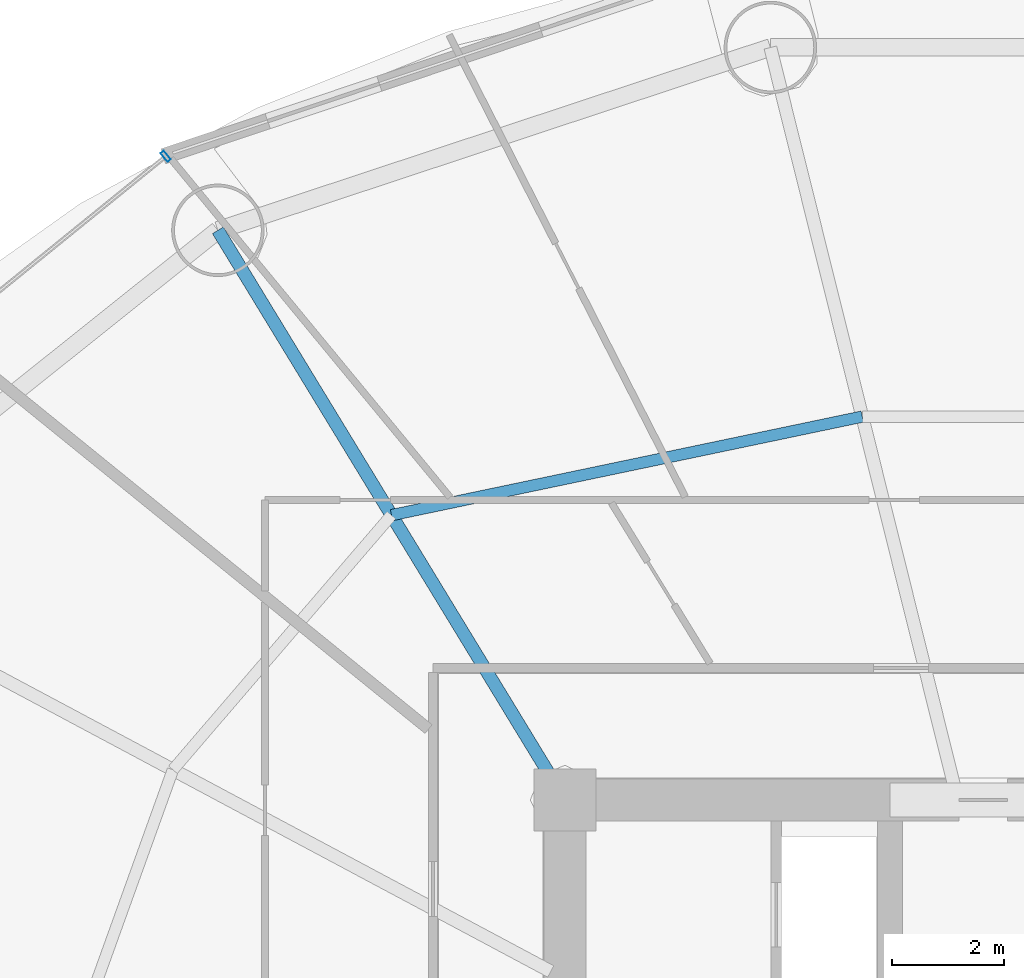
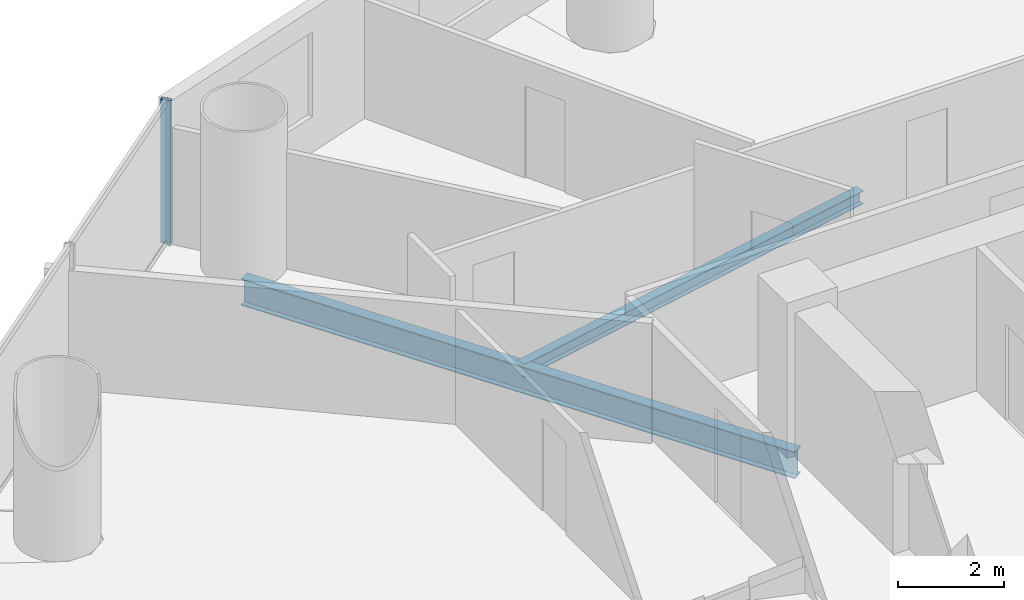
# One storey, part 16 of 29: 2 beams, 1 member, 1 element without a shape of its own.
"""IFC4 building model written with IfcOpenShell, lengths in metres."""

import ifcopenshell
import ifcopenshell.guid

model = None  # the IFC model being written
_history = None  # IfcOwnerHistory: only IFC2X3 demands one
_inside = {}  # id of a spatial element -> (the spatial element, [elements in it])
_under = {}  # id of a project, library or spatial element -> (it, [spatial elements below it])
_declared = {}  # id of a project -> (the project, [libraries it declares])
_typed = {}  # id of a type object -> (the type object, [elements of that type])
_made_of = {}  # id of a material, layer set ... -> (it, [elements and type objects made of it])


def new_model(schema):
    """Start an empty IFC model of exactly this schema.

    Asked for "IFC4X3", IfcOpenShell would pick the latest addendum, in which some entities
    have other attributes; the version numbers below select the first issue.
    IFC2X3 requires an IfcOwnerHistory on every rooted entity: one is made here for all.
    """
    global model, _history
    if schema == "IFC4X3":
        model = ifcopenshell.file(schema_version=(4, 3, 0, 0))
    else:
        model = ifcopenshell.file(schema=schema)
    _inside.clear()
    _under.clear()
    _declared.clear()
    _typed.clear()
    _made_of.clear()
    _history = None
    if model.schema == "IFC2X3":
        org = make("IfcOrganization", Name="unknown")
        user = make(
            "IfcPersonAndOrganization",
            ThePerson=make("IfcPerson", FamilyName="unknown"),
            TheOrganization=org,
        )
        app = make(
            "IfcApplication",
            ApplicationDeveloper=org,
            Version="unknown",
            ApplicationFullName="unknown",
            ApplicationIdentifier="unknown",
        )
        _history = make(
            "IfcOwnerHistory",
            OwningUser=user,
            OwningApplication=app,
            ChangeAction="ADDED",
            CreationDate=0,
        )
    return model


def make(cls, **values):
    """One entity of the class cls with the attributes given. An attribute that is None is left unset."""
    return model.create_entity(
        cls, **{name: value for name, value in values.items() if value is not None}
    )


def rooted(cls, **values):
    """An entity with a GlobalId (a new one), such as an element, a storey or a relation."""
    return make(cls, GlobalId=ifcopenshell.guid.new(), OwnerHistory=_history, **values)


def si_unit(unit_type, name, prefix=None):
    """IfcSIUnit, for example si_unit("LENGTHUNIT", "METRE", prefix="MILLI")."""
    return make("IfcSIUnit", UnitType=unit_type, Prefix=prefix, Name=name)


def assignment(units):
    """IfcUnitAssignment: the units of a project."""
    return None if units is None else make("IfcUnitAssignment", Units=units)


def point(xyz):
    """IfcCartesianPoint."""
    return None if xyz is None else make("IfcCartesianPoint", Coordinates=xyz)


def direction(xyz):
    """IfcDirection."""
    return None if xyz is None else make("IfcDirection", DirectionRatios=xyz)


def frame(location, z_axis=None, x_axis=None):
    """IfcAxis2Placement3D, a coordinate frame: its origin and axes. An axis left out is left unset."""
    return make(
        "IfcAxis2Placement3D",
        Location=point(location),
        Axis=direction(z_axis),
        RefDirection=direction(x_axis),
    )


def frame_2d(location, x_axis=None):
    """IfcAxis2Placement2D, a coordinate frame in the plane: its origin and x axis."""
    return make(
        "IfcAxis2Placement2D", Location=point(location), RefDirection=direction(x_axis)
    )


def origin():
    """The frame at (0, 0, 0) with its axes left unset."""
    return frame((0.0, 0.0, 0.0))


def origin_2d():
    """The frame at (0, 0) in the plane with its x axis left unset."""
    return frame_2d((0.0, 0.0))


def place(relative_to, where):
    """IfcLocalPlacement: puts the frame where relative to a parent placement (None: the world)."""
    return make(
        "IfcLocalPlacement", PlacementRelTo=relative_to, RelativePlacement=where
    )


def context(
    kind, dimensions, precision=None, world=None, true_north=None, identifier=None
):
    """IfcGeometricRepresentationContext, for example the 3D "Model" context."""
    return make(
        "IfcGeometricRepresentationContext",
        ContextIdentifier=identifier,
        ContextType=kind,
        CoordinateSpaceDimension=dimensions,
        Precision=precision,
        WorldCoordinateSystem=world,
        TrueNorth=true_north,
    )


def subcontext(parent, identifier, kind, view, scale=None):
    """IfcGeometricRepresentationSubContext, for example "Body" below "Model"."""
    return make(
        "IfcGeometricRepresentationSubContext",
        ContextIdentifier=identifier,
        ContextType=kind,
        ParentContext=parent,
        TargetScale=scale,
        TargetView=view,
    )


def project(units=None, contexts=None):
    """IfcProject with its units and contexts."""
    return rooted(
        "IfcProject",
        Name="project",
        RepresentationContexts=contexts,
        UnitsInContext=assignment(units),
    )


def spatial(cls, under=None, at=None, **own):
    """A site, building, storey or space (cls), placed at a placement, below another one or the project."""
    s = rooted(cls, ObjectPlacement=at, **own)
    if under is not None:
        _under.setdefault(under.id(), (under, []))[1].append(s)
    return s


def profile(cls, at=None, kind="AREA", **sizes):
    """A parametric profile (cls). Its sizes go by their IFC names, for example OverallWidth=200.0."""
    return make(cls, ProfileType=kind, Position=at, **sizes)


def hollow_rectangle(**sizes):
    """IfcRectangleHollowProfileDef."""
    return profile("IfcRectangleHollowProfileDef", **sizes)


def i_section(**sizes):
    """IfcIShapeProfileDef."""
    return profile("IfcIShapeProfileDef", **sizes)


def extrude(swept, where, along, depth):
    """IfcExtrudedAreaSolid: the profile swept, set in the frame where, extruded along a direction by depth."""
    return make(
        "IfcExtrudedAreaSolid",
        SweptArea=swept,
        Position=where,
        ExtrudedDirection=direction(along),
        Depth=depth,
    )


def shape(context_of_items, identifier, shape_type, items):
    """IfcShapeRepresentation: the items that make up one representation, for example the "Body"."""
    return make(
        "IfcShapeRepresentation",
        ContextOfItems=context_of_items,
        RepresentationIdentifier=identifier,
        RepresentationType=shape_type,
        Items=items,
    )


def source(mapping_origin, context_of_items, identifier, shape_type, items):
    """IfcRepresentationMap: a shape defined once, which mapped items show again and again."""
    return make(
        "IfcRepresentationMap",
        MappingOrigin=mapping_origin,
        MappedRepresentation=shape(context_of_items, identifier, shape_type, items),
    )


def transform(
    local_origin,
    x_axis=None,
    y_axis=None,
    z_axis=None,
    scale=None,
    scale2=None,
    scale3=None,
    uniform=True,
):
    """IfcCartesianTransformationOperator3D, or its non-uniform kind. x_axis, y_axis, z_axis: its Axis1, 2, 3."""
    if uniform:
        return make(
            "IfcCartesianTransformationOperator3D",
            Axis1=direction(x_axis),
            Axis2=direction(y_axis),
            LocalOrigin=point(local_origin),
            Scale=scale,
            Axis3=direction(z_axis),
        )
    return make(
        "IfcCartesianTransformationOperator3DnonUniform",
        Axis1=direction(x_axis),
        Axis2=direction(y_axis),
        LocalOrigin=point(local_origin),
        Scale=scale,
        Axis3=direction(z_axis),
        Scale2=scale2,
        Scale3=scale3,
    )


def mapped(mapping_source, mapping_target):
    """IfcMappedItem: shows the shape of a source again, moved by a transform."""
    return make(
        "IfcMappedItem", MappingSource=mapping_source, MappingTarget=mapping_target
    )


def material(Name=None, Category=None):
    """IfcMaterial."""
    return make("IfcMaterial", Name=Name, Category=Category)


def material_profile(
    of_material, cross_section, Name=None, Category=None, Priority=None
):
    """IfcMaterialProfile: a cross section and its material."""
    return make(
        "IfcMaterialProfile",
        Name=Name,
        Material=of_material,
        Profile=cross_section,
        Priority=Priority,
        Category=Category,
    )


def profile_set(profiles, Name=None, composite=None):
    """IfcMaterialProfileSet."""
    return make(
        "IfcMaterialProfileSet",
        Name=Name,
        MaterialProfiles=profiles,
        CompositeProfile=composite,
    )


def made_of(thing, what):
    """Note that an element or type object is made of a material, layer set ...; save() writes the relation."""
    if what is not None:
        _made_of.setdefault(what.id(), (what, []))[1].append(thing)
    return thing


def type_object(cls, material=None, **own):
    """A type object (cls), such as IfcWallType, which elements share."""
    return made_of(rooted(cls, **own), material)


def element(
    cls,
    number,
    at=None,
    inside=None,
    cuts=None,
    type_object=None,
    material=None,
    context=None,
    identifier="Body",
    shape_type=None,
    held_by="IfcProductDefinitionShape",
    body=None,
    shapes=None,
    **own,
):
    """One element of the class cls, such as IfcWall. Its Tag is "e" and its number.

    at: its placement. inside: the storey or other place that contains it. cuts: it is an
    opening in that element (IfcRelVoidsElement). A single representation is given by context,
    identifier, shape_type and body (its items); several are given by shapes. held_by: the class
    of the entity that holds the representations. save() writes the other relations.
    """
    e = rooted(cls, Tag="e%d" % number, ObjectPlacement=at, **own)
    if body is not None:
        shapes = [shape(context, identifier, shape_type, body)]
    if shapes is not None:
        e.Representation = make(held_by, Representations=shapes)
    if inside is not None:
        _inside.setdefault(inside.id(), (inside, []))[1].append(e)
    if cuts is not None:
        rooted(
            "IfcRelVoidsElement", RelatingBuildingElement=cuts, RelatedOpeningElement=e
        )
    if type_object is not None:
        _typed.setdefault(type_object.id(), (type_object, []))[1].append(e)
    return made_of(e, material)


def aggregate(whole, parts):
    """IfcRelAggregates: a whole, such as a stair, and the parts it consists of."""
    return rooted("IfcRelAggregates", RelatingObject=whole, RelatedObjects=parts)


def save(model, path):
    """Write the relations noted so far, then the file.

    IfcRelAggregates (storeys below a building ...), IfcRelContainedInSpatialStructure (elements
    in a storey), IfcRelDefinesByType, IfcRelAssociatesMaterial and IfcRelDeclares: one each for
    every whole, place, type object, material and project.
    """
    for whole, parts in _under.values():
        aggregate(whole, parts)
    for where, things in _inside.values():
        rooted(
            "IfcRelContainedInSpatialStructure",
            RelatedElements=things,
            RelatingStructure=where,
        )
    for kind, things in _typed.values():
        rooted("IfcRelDefinesByType", RelatedObjects=things, RelatingType=kind)
    for what, things in _made_of.values():
        rooted("IfcRelAssociatesMaterial", RelatedObjects=things, RelatingMaterial=what)
    for by, libraries in _declared.values():
        rooted("IfcRelDeclares", RelatingContext=by, RelatedDefinitions=libraries)
    model.write(path)


model = new_model("IFC4")

# Units and contexts
model_context = context("Model", 3, precision=1e-05, world=origin(), true_north=direction((-0.2419218956, 0.970295726276)))
body_context = subcontext(model_context, "Body", "Model", "MODEL_VIEW")
ifc_project = project(units=[si_unit("LENGTHUNIT", "METRE"), si_unit("AREAUNIT", "SQUARE_METRE"), si_unit("VOLUMEUNIT", "CUBIC_METRE"), si_unit("PLANEANGLEUNIT", "RADIAN"), si_unit("MASSUNIT", "GRAM", prefix="KILO")], contexts=[model_context])

# Site, building, storey
site_placement = place(None, origin())
site = spatial("IfcSite", under=ifc_project, at=site_placement, CompositionType="ELEMENT")
building_placement = place(site_placement, origin())
building = spatial("IfcBuilding", under=site, at=building_placement, Name="Cobrevalo Terracotta Tower", CompositionType="ELEMENT")
storey_placement = place(building_placement, frame((0.0, 0.0, 67.199951171875)))
storey = spatial("IfcBuildingStorey", under=building, at=storey_placement, Name="L17", CompositionType="ELEMENT", Elevation=67.199951171875)

# Beams
ifc_material_1 = material(Name="Steel S355", Category="steel")
ifc_material_profile_1 = material_profile(ifc_material_1, i_section(OverallWidth=0.22998046875, OverallDepth=0.616943359375, WebThickness=0.01318359375, FlangeThickness=0.022216796875, at=origin_2d()), Name="W 610x140")
ifc_profile_set_1 = profile_set([ifc_material_profile_1], Name="Steel S355")
beam_type_1 = type_object("IfcBeamType", Name="Structural Beam W 610x140 (Steel S355)", PredefinedType="BEAM", material=ifc_profile_set_1)
beam_1_placement = place(storey_placement, frame((22.80517578125, 44.967529296875, -0.58837890625), z_axis=(0.520309892051, -0.853977526773, 0.0), x_axis=(0.853977526773, 0.520309892051, 0.0)))
element("IfcBeam", 1, at=beam_1_placement, inside=storey, type_object=beam_type_1, Name="L17 radial floor girder 06", PredefinedType="BEAM", context=body_context, shape_type="SweptSolid", body=[
    extrude(i_section(OverallWidth=0.22998046875, OverallDepth=0.616943359375, WebThickness=0.01318359375, FlangeThickness=0.022216796875, at=origin_2d()), origin(), (0.0, 0.0, 1.0), 11.906005859375),
])
ifc_material_profile_2 = material_profile(ifc_material_1, i_section(OverallWidth=0.2041015625, OverallDepth=0.305908203125, WebThickness=0.008544921875, FlangeThickness=0.0146484375, at=origin_2d()), Name="W 310x67")
ifc_profile_set_2 = profile_set([ifc_material_profile_2], Name="Steel S355")
beam_type_2 = type_object("IfcBeamType", Name="Structural Joist W 310x67 (Steel S355)", PredefinedType="JOIST", material=ifc_profile_set_2)
beam_2_placement = place(storey_placement, frame((34.304443359375, 41.642578125, -0.432861328125), z_axis=(-0.978784523904, -0.204892302848, 0.0), x_axis=(0.204892302848, -0.978784523904, 0.0)))
element("IfcBeam", 2, at=beam_2_placement, inside=storey, type_object=beam_type_2, Name="L17 circumferential secondary floor joist 05", PredefinedType="JOIST", context=body_context, shape_type="SweptSolid", body=[
    extrude(i_section(OverallWidth=0.2041015625, OverallDepth=0.305908203125, WebThickness=0.008544921875, FlangeThickness=0.0146484375, at=origin_2d()), origin(), (0.0, 0.0, 1.0), 8.583984375),
])

# Curtain wall, member
ifc_material_2 = material(Name="Anodized aluminium", Category="aluminium")
curtain_wall_type = type_object("IfcCurtainWallType", Name="Lower-tower unitised acoustic low-E curtain wall CW-U1", PredefinedType="NOTDEFINED", material=ifc_material_2)
curtain_wall_placement = place(storey_placement, origin())
curtain_wall = element("IfcCurtainWall", 3, at=curtain_wall_placement, inside=storey, type_object=curtain_wall_type, Name="L17 curtain wall CW-L17-S06", PredefinedType="NOTDEFINED")
ifc_material_profile_3 = material_profile(ifc_material_2, hollow_rectangle(XDim=0.074951171875, YDim=0.199951171875, WallThickness=0.0048828125, at=origin_2d()), Name="CWM 75x200")
ifc_profile_set_3 = profile_set([ifc_material_profile_3], Name="Anodized aluminium")
member_type = type_object("IfcMemberType", Name="Lower/mid tower unitised mullion 75x200", PredefinedType="MULLION", material=ifc_profile_set_3)
shared_shape = source(origin(), body_context, "Body", "SweptSolid", [
    extrude(hollow_rectangle(XDim=0.074951171875, YDim=0.199951171875, WallThickness=0.0048828125, at=origin_2d()), origin(), (0.0, 0.0, 1.0), 3.320068359375),
])
member_placement = place(storey_placement, frame((21.8740234375, 46.289306640625, 0.0), z_axis=(0.0, 0.0, 1.0), x_axis=(-0.777003153187, -0.629496703675, 0.0)))
member = element("IfcMember", 4, at=member_placement, type_object=member_type, Name="CW-L17-S06 vertical mullion 01", PredefinedType="MULLION", context=body_context, shape_type="MappedRepresentation", body=[
    mapped(shared_shape, transform((0.0, 0.0, 0.0), scale=1.0)),
])
aggregate(curtain_wall, [member])

save(model, "model.ifc")
